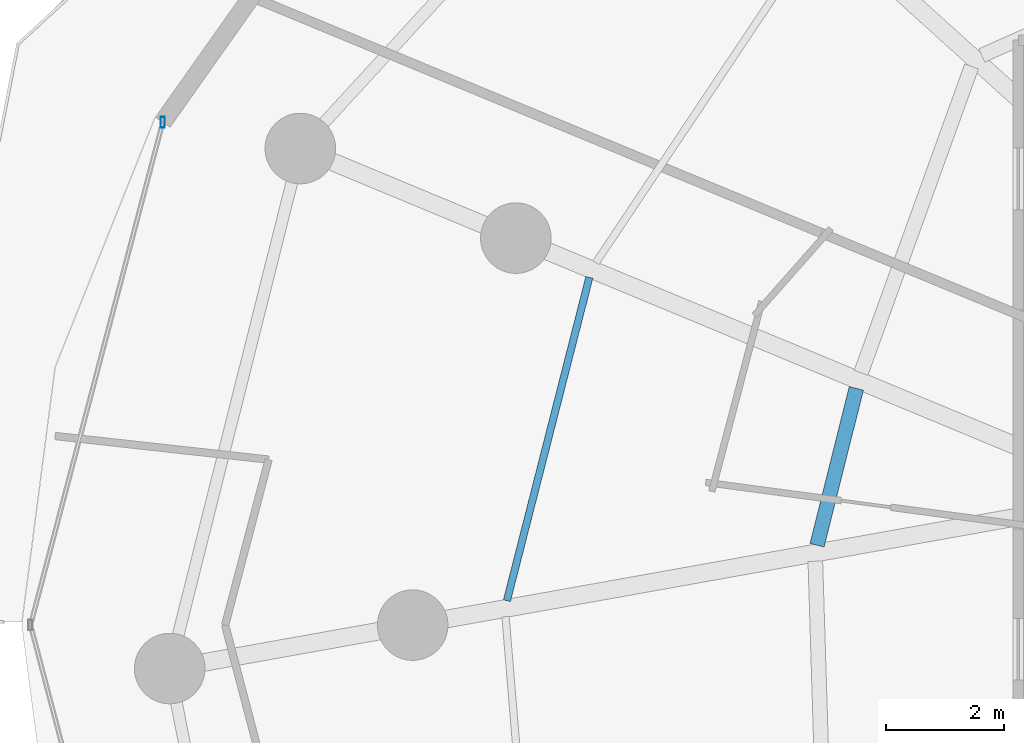
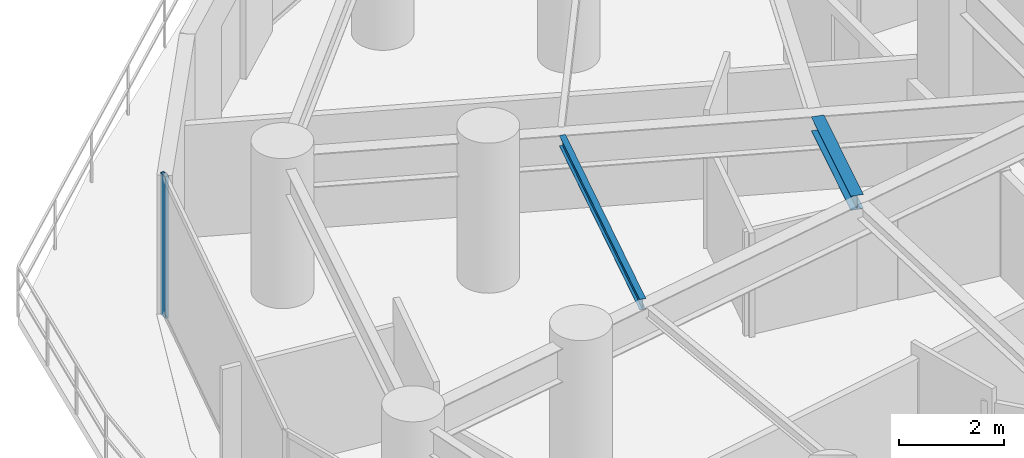
# One storey, part 10 of 35: 2 beams, 1 member, 1 element without a shape of its own.
"""IFC4 building model written with IfcOpenShell, lengths in metres."""

from ifc_helpers import new_model, si_unit, direction, frame, origin, origin_2d, place, context, subcontext, project, spatial, hollow_rectangle, i_section, extrude, material, material_profile, profile_set, type_object, element, aggregate, save


model = new_model("IFC4")

# Units and contexts
model_context = context("Model", 3, precision=1e-05, world=origin(), true_north=direction((0.0, 1.0)))
body_context = subcontext(model_context, "Body", "Model", "MODEL_VIEW")
ifc_project = project(units=[si_unit("LENGTHUNIT", "METRE"), si_unit("AREAUNIT", "SQUARE_METRE"), si_unit("VOLUMEUNIT", "CUBIC_METRE"), si_unit("PLANEANGLEUNIT", "RADIAN"), si_unit("MASSUNIT", "GRAM", prefix="KILO")], contexts=[model_context])

# Site, building, storey
site_placement = place(None, origin())
site = spatial("IfcSite", under=ifc_project, at=site_placement, CompositionType="ELEMENT")
building_placement = place(site_placement, origin())
building = spatial("IfcBuilding", under=site, at=building_placement, Name="Vorneva Point Tower", CompositionType="ELEMENT")
storey_placement = place(building_placement, frame((0.0, 0.0, 52.0)))
storey = spatial("IfcBuildingStorey", under=building, at=storey_placement, Name="L13", CompositionType="ELEMENT", Elevation=52.0)

# Beams
ifc_material_1 = material(Name="Steel S355", Category="steel")
ifc_material_profile_1 = material_profile(ifc_material_1, i_section(OverallWidth=0.1240234375, OverallDepth=0.248046875, WebThickness=0.0048828125, FlangeThickness=0.008056640625, at=origin_2d()), Name="25B1")
ifc_profile_set_1 = profile_set([ifc_material_profile_1], Name="Steel S355")
beam_type_1 = type_object("IfcBeamType", Name="BM-JST-25B1", PredefinedType="JOIST", material=ifc_profile_set_1)
beam_1_placement = place(storey_placement, frame((17.954833984375, 31.914794921875, 3.115966796875), z_axis=(-0.247116933872, -0.968985666041, 0.0), x_axis=(0.968985666041, -0.247116933872, 0.0)))
element("IfcBeam", 1, at=beam_1_placement, inside=storey, type_object=beam_type_1, Name="L13 Secondary Floor Beam 1.08", PredefinedType="JOIST", context=body_context, shape_type="SweptSolid", body=[
    extrude(i_section(OverallWidth=0.1240234375, OverallDepth=0.248046875, WebThickness=0.0048828125, FlangeThickness=0.008056640625, at=origin_2d()), origin(), (0.0, 0.0, 1.0), 5.6767578125),
])
ifc_material_profile_2 = material_profile(ifc_material_1, i_section(OverallWidth=0.2490234375, OverallDepth=0.333984375, WebThickness=0.008056640625, FlangeThickness=0.010986328125, at=origin_2d()), Name="35Sh1")
ifc_profile_set_2 = profile_set([ifc_material_profile_2], Name="Steel S355")
beam_type_2 = type_object("IfcBeamType", Name="BM-SEC-35Sh1", PredefinedType="BEAM", material=ifc_profile_set_2)
beam_2_placement = place(storey_placement, frame((22.49560546875, 30.02783203125, 3.072998046875), z_axis=(-0.242702599496, -0.970100741262, 0.0), x_axis=(0.970100741262, -0.242702599496, 0.0)))
element("IfcBeam", 2, at=beam_2_placement, inside=storey, type_object=beam_type_2, Name="L13 Secondary Floor Beam 2.08", PredefinedType="BEAM", context=body_context, shape_type="SweptSolid", body=[
    extrude(i_section(OverallWidth=0.2490234375, OverallDepth=0.333984375, WebThickness=0.008056640625, FlangeThickness=0.010986328125, at=origin_2d()), origin(), (0.0, 0.0, 1.0), 2.752197265625),
])

# Curtain wall, member
ifc_material_2 = material(Name="Pale anodised aluminium", Category="aluminium")
curtain_wall_type = type_object("IfcCurtainWallType", Name="CW-HTL-SYS", PredefinedType="NOTDEFINED", material=ifc_material_2)
curtain_wall_placement = place(storey_placement, origin())
curtain_wall = element("IfcCurtainWall", 3, at=curtain_wall_placement, inside=storey, type_object=curtain_wall_type, Name="L13 Unitised Curtain Wall CW-L13-R03", PredefinedType="NOTDEFINED")
ifc_material_profile_3 = material_profile(ifc_material_2, hollow_rectangle(XDim=0.074951171875, YDim=0.179931640625, WallThickness=0.00390625, at=origin_2d()), Name="AL-MUL 180x75x4")
ifc_profile_set_3 = profile_set([ifc_material_profile_3], Name="Pale anodised aluminium")
member_type = type_object("IfcMemberType", Name="CW-MUL-180", PredefinedType="MULLION", material=ifc_profile_set_3)
member_placement = place(storey_placement, frame((10.699462890625, 34.552978515625, -0.0400390625), z_axis=(0.0, 0.0, 1.0), x_axis=(1.0, 0.0, 0.0)))
member = element("IfcMember", 4, at=member_placement, type_object=member_type, Name="CW-L13-R03 Mullion 01", PredefinedType="MULLION", context=body_context, shape_type="SweptSolid", body=[
    extrude(hollow_rectangle(XDim=0.074951171875, YDim=0.179931640625, WallThickness=0.00390625, at=origin_2d()), origin(), (0.0, 0.0, 1.0), 3.31005859375),
])
aggregate(curtain_wall, [member])

save(model, "model.ifc")
